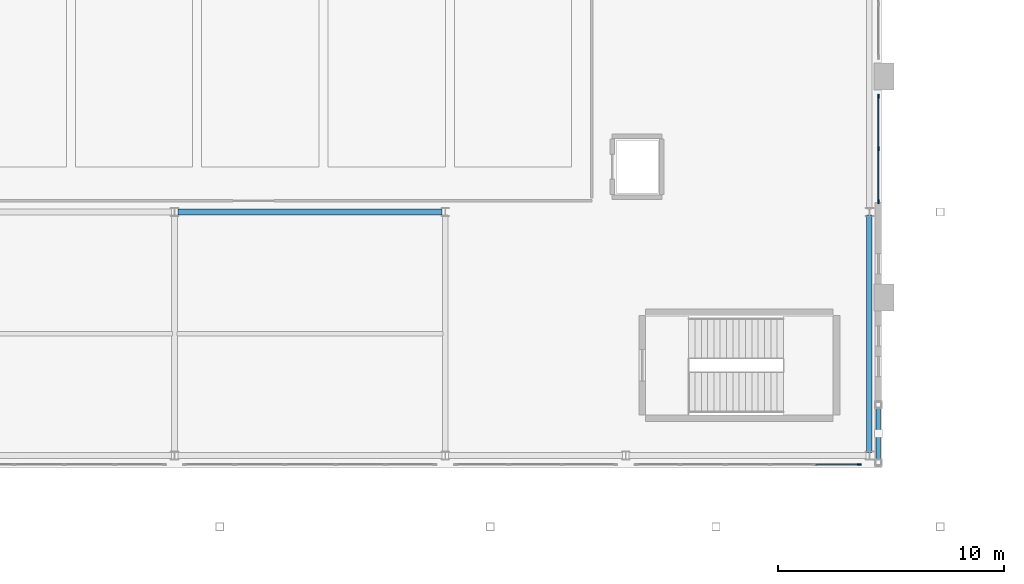
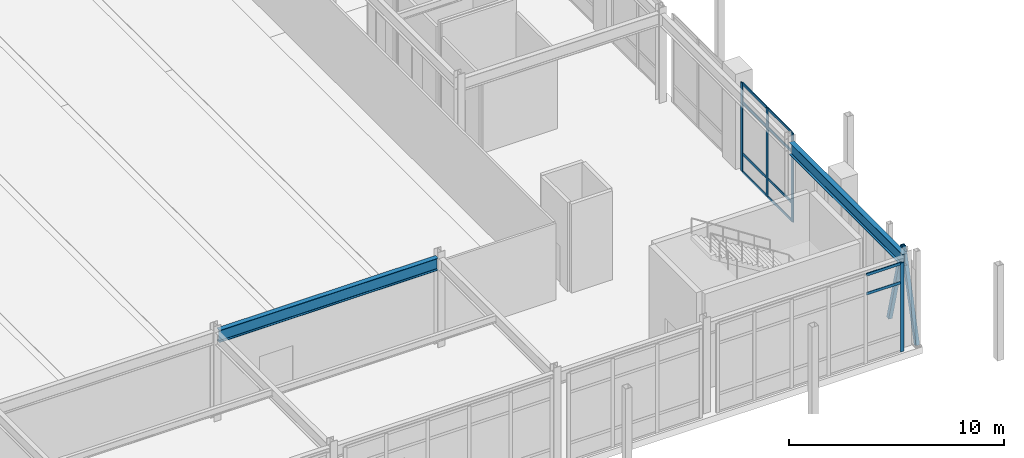
# One storey, part 67 of 159: 16 members, 2 beams, 2 elements without a shape of their own.
"""IFC4 building model written with IfcOpenShell, lengths in metres."""

from ifc_helpers import new_model, si_unit, derived_unit, direction, frame, origin, origin_2d, place, context, subcontext, project, spatial, rectangle, hollow_rectangle, i_section, extrude, material, layer, layer_set, material_profile, profile_set, type_object, element, aggregate, save


model = new_model("IFC4")

# Units and contexts
model_context = context("Model", 3, precision=1e-05, world=origin(), true_north=direction((0.0, 1.0)))
body_context = subcontext(model_context, "Body", "Model", "MODEL_VIEW")
ifc_project = project(units=[si_unit("LENGTHUNIT", "METRE"), si_unit("AREAUNIT", "SQUARE_METRE"), si_unit("VOLUMEUNIT", "CUBIC_METRE"), si_unit("PLANEANGLEUNIT", "RADIAN"), si_unit("MASSUNIT", "GRAM", prefix="KILO"), derived_unit("THERMALTRANSMITTANCEUNIT", [(si_unit("MASSUNIT", "GRAM", prefix="KILO"), 1), (si_unit("TIMEUNIT", "SECOND"), -3), (si_unit("THERMODYNAMICTEMPERATUREUNIT", "KELVIN"), -1)])], contexts=[model_context])

# Site, building, storey
site_placement = place(None, origin())
site = spatial("IfcSite", under=ifc_project, at=site_placement, CompositionType="ELEMENT")
building_placement = place(site_placement, origin())
building = spatial("IfcBuilding", under=site, at=building_placement, Name="Valcora Ridge Arena", CompositionType="ELEMENT")
storey_placement = place(building_placement, frame((0.0, 0.0, 6.0)))
storey = spatial("IfcBuildingStorey", under=building, at=storey_placement, Name="L01", CompositionType="ELEMENT", Elevation=6.0)

# Beams
ifc_material_1 = material(Name="Steel ASTM A572 Grade 50", Category="steel")
ifc_material_profile_1 = material_profile(ifc_material_1, i_section(OverallWidth=0.256103515625, OverallDepth=0.693115234375, WebThickness=0.014404296875, FlangeThickness=0.023681640625, FilletRadius=0.02001953125, at=origin_2d()), Name="W27X114")
ifc_profile_set_1 = profile_set([ifc_material_profile_1], Name="Steel ASTM A572 Grade 50")
beam_type_1 = type_object("IfcBeamType", Name="TY-BEAM-G-W27X114-X", PredefinedType="BEAM", material=ifc_profile_set_1)
beam_1_placement = place(storey_placement, frame((156.139892578125, 16.0, 4.693603515625), z_axis=(1.0, 0.0, 0.0), x_axis=(0.0, 1.0, 0.0)))
element("IfcBeam", 1, at=beam_1_placement, inside=storey, type_object=beam_type_1, Name="G-W27X114-X BEM-G-W27X114-X-0026", PredefinedType="BEAM", context=body_context, shape_type="SweptSolid", body=[
    extrude(i_section(OverallWidth=0.256103515625, OverallDepth=0.693115234375, WebThickness=0.014404296875, FlangeThickness=0.023681640625, FilletRadius=0.02001953125, at=origin_2d()), origin(), (0.0, 0.0, 1.0), 11.72021484375),
])
ifc_material_profile_2 = material_profile(ifc_material_1, i_section(OverallWidth=0.256103515625, OverallDepth=0.693115234375, WebThickness=0.014404296875, FlangeThickness=0.023681640625, FilletRadius=0.02001953125, at=origin_2d()), Name="W27X114")
ifc_profile_set_2 = profile_set([ifc_material_profile_2], Name="Steel ASTM A572 Grade 50")
beam_type_2 = type_object("IfcBeamType", Name="TY-BEAM-G-W27X114-Y", PredefinedType="BEAM", material=ifc_profile_set_2)
beam_2_placement = place(storey_placement, frame((186.800048828125, 5.340087890625, 4.693603515625), z_axis=(0.0, 1.0, 0.0), x_axis=(-1.0, 0.0, 0.0)))
element("IfcBeam", 2, at=beam_2_placement, inside=storey, type_object=beam_type_2, Name="G-W27X114-Y BEM-G-W27X114-Y-0053", PredefinedType="BEAM", context=body_context, shape_type="SweptSolid", body=[
    extrude(i_section(OverallWidth=0.256103515625, OverallDepth=0.693115234375, WebThickness=0.014404296875, FlangeThickness=0.023681640625, FilletRadius=0.02001953125, at=origin_2d()), origin(), (0.0, 0.0, 1.0), 10.52001953125),
])

# Curtain wall, member
ifc_material_2 = material(Name="Anodised dark bronze architectural aluminium 6063-T6", Category="aluminium")
ifc_layer_1 = layer(ifc_material_2, 0.179931640625, Name="Anodised dark bronze architectural aluminium 6063-T6")
ifc_layer_set_1 = layer_set([ifc_layer_1], Name="Anodised dark bronze architectural aluminium 6063-T6")
curtain_wall_type_1 = type_object("IfcCurtainWallType", Name="TY-CURTAINWALL-CW-V2-GLAZ-099X50", PredefinedType="NOTDEFINED", material=ifc_layer_set_1)
curtain_wall_1_placement = place(storey_placement, origin())
curtain_wall_1 = element("IfcCurtainWall", 3, at=curtain_wall_1_placement, inside=storey, type_object=curtain_wall_type_1, Name="CW-V2-GLAZ-099X50 CW-0048", PredefinedType="NOTDEFINED")
ifc_material_profile_3 = material_profile(ifc_material_2, rectangle(XDim=0.06005859375, YDim=0.179931640625, at=origin_2d()), Name="ALU MULLION 60x180")
ifc_profile_set_3 = profile_set([ifc_material_profile_3], Name="Anodised dark bronze architectural aluminium 6063-T6")
member_type_1 = type_object("IfcMemberType", Name="TY-MEM-CWM-60x180", PredefinedType="MULLION", material=ifc_profile_set_3)
member_1_placement = place(storey_placement, frame((186.343017578125, 4.800048828125, 0.0), z_axis=(0.0, 0.0, 1.0), x_axis=(0.0, 1.0, 0.0)))
member_1 = element("IfcMember", 4, at=member_1_placement, type_object=member_type_1, Name="CW-0048/CWM-60x180/M05", PredefinedType="MULLION", context=body_context, shape_type="SweptSolid", body=[
    extrude(rectangle(XDim=0.06005859375, YDim=0.179931640625, at=origin_2d()), origin(), (0.0, 0.0, 1.0), 5.0400390625),
])

# Curtain wall, members
ifc_layer_2 = layer(ifc_material_2, 0.179931640625, Name="Anodised dark bronze architectural aluminium 6063-T6")
ifc_layer_set_2 = layer_set([ifc_layer_2], Name="Anodised dark bronze architectural aluminium 6063-T6")
curtain_wall_type_2 = type_object("IfcCurtainWallType", Name="TY-CURTAINWALL-CW-V2-GLAZ-047X50", PredefinedType="NOTDEFINED", material=ifc_layer_set_2)
curtain_wall_2_placement = place(storey_placement, origin())
curtain_wall_2 = element("IfcCurtainWall", 5, at=curtain_wall_2_placement, inside=storey, type_object=curtain_wall_type_2, Name="CW-V2-GLAZ-047X50 CW-0049", PredefinedType="NOTDEFINED")
member_2_placement = place(storey_placement, frame((187.199951171875, 16.45654296875, 0.0), z_axis=(0.0, 0.0, 1.0), x_axis=(-1.0, 0.0, 0.0)))
member_2 = element("IfcMember", 6, at=member_2_placement, type_object=member_type_1, Name="CW-0049/CWM-60x180/M00", PredefinedType="MULLION", context=body_context, shape_type="SweptSolid", body=[
    extrude(rectangle(XDim=0.06005859375, YDim=0.179931640625, at=origin_2d()), origin(), (0.0, 0.0, 1.0), 5.0400390625),
])
member_3_placement = place(storey_placement, frame((187.199951171875, 18.793212890625, 0.0), z_axis=(0.0, 0.0, 1.0), x_axis=(-1.0, 0.0, 0.0)))
member_3 = element("IfcMember", 7, at=member_3_placement, type_object=member_type_1, Name="CW-0049/CWM-60x180/M01", PredefinedType="MULLION", context=body_context, shape_type="SweptSolid", body=[
    extrude(rectangle(XDim=0.06005859375, YDim=0.179931640625, at=origin_2d()), origin(), (0.0, 0.0, 1.0), 5.0400390625),
])
member_4_placement = place(storey_placement, frame((187.199951171875, 21.1298828125, 0.0), z_axis=(0.0, 0.0, 1.0), x_axis=(-1.0, 0.0, 0.0)))
member_4 = element("IfcMember", 8, at=member_4_placement, type_object=member_type_1, Name="CW-0049/CWM-60x180/M02", PredefinedType="MULLION", context=body_context, shape_type="SweptSolid", body=[
    extrude(rectangle(XDim=0.06005859375, YDim=0.179931640625, at=origin_2d()), origin(), (0.0, 0.0, 1.0), 5.0400390625),
])

# Member
ifc_material_profile_4 = material_profile(ifc_material_2, rectangle(XDim=0.050048828125, YDim=0.14990234375, at=origin_2d()), Name="ALU TRANSOM 50x150")
ifc_profile_set_4 = profile_set([ifc_material_profile_4], Name="Anodised dark bronze architectural aluminium 6063-T6")
member_type_2 = type_object("IfcMemberType", Name="TY-MEM-CWT-50x150", PredefinedType="USERDEFINED", material=ifc_profile_set_4)
member_5_placement = place(storey_placement, frame((184.4140625, 4.800048828125, 3.93994140625), z_axis=(1.0, 0.0, 0.0), x_axis=(0.0, 1.0, 0.0)))
member_5 = element("IfcMember", 9, at=member_5_placement, type_object=member_type_2, Name="CW-0048/CWT-50x150/T04-02", ObjectType="TRANSOM", PredefinedType="USERDEFINED", context=body_context, shape_type="SweptSolid", body=[
    extrude(rectangle(XDim=0.050048828125, YDim=0.14990234375, at=origin_2d()), origin(), (0.0, 0.0, 1.0), 1.89892578125),
])

member_6_placement = place(storey_placement, frame((184.4140625, 4.800048828125, 5.014892578125), z_axis=(1.0, 0.0, 0.0), x_axis=(0.0, 1.0, 0.0)))
member_6 = element("IfcMember", 10, at=member_6_placement, type_object=member_type_2, Name="CW-0048/CWT-50x150/T04-03", ObjectType="TRANSOM", PredefinedType="USERDEFINED", context=body_context, shape_type="SweptSolid", body=[
    extrude(rectangle(XDim=0.050048828125, YDim=0.14990234375, at=origin_2d()), origin(), (0.0, 0.0, 1.0), 1.89892578125),
])

aggregate(curtain_wall_1, [member_1, member_5, member_6])

member_7_placement = place(storey_placement, frame((187.199951171875, 16.486572265625, 0.02490234375), z_axis=(0.0, 1.0, 0.0), x_axis=(-1.0, 0.0, 0.0)))
member_7 = element("IfcMember", 11, at=member_7_placement, type_object=member_type_2, Name="CW-0049/CWT-50x150/T00-00", ObjectType="TRANSOM", PredefinedType="USERDEFINED", context=body_context, shape_type="SweptSolid", body=[
    extrude(rectangle(XDim=0.050048828125, YDim=0.14990234375, at=origin_2d()), origin(), (0.0, 0.0, 1.0), 2.27685546875),
])

member_8_placement = place(storey_placement, frame((187.199951171875, 16.486572265625, 1.050048828125), z_axis=(0.0, 1.0, 0.0), x_axis=(-1.0, 0.0, 0.0)))
member_8 = element("IfcMember", 12, at=member_8_placement, type_object=member_type_2, Name="CW-0049/CWT-50x150/T00-01", ObjectType="TRANSOM", PredefinedType="USERDEFINED", context=body_context, shape_type="SweptSolid", body=[
    extrude(rectangle(XDim=0.050048828125, YDim=0.14990234375, at=origin_2d()), origin(), (0.0, 0.0, 1.0), 2.27685546875),
])

member_9_placement = place(storey_placement, frame((187.199951171875, 16.486572265625, 3.93994140625), z_axis=(0.0, 1.0, 0.0), x_axis=(-1.0, 0.0, 0.0)))
member_9 = element("IfcMember", 13, at=member_9_placement, type_object=member_type_2, Name="CW-0049/CWT-50x150/T00-02", ObjectType="TRANSOM", PredefinedType="USERDEFINED", context=body_context, shape_type="SweptSolid", body=[
    extrude(rectangle(XDim=0.050048828125, YDim=0.14990234375, at=origin_2d()), origin(), (0.0, 0.0, 1.0), 2.27685546875),
])

member_10_placement = place(storey_placement, frame((187.199951171875, 16.486572265625, 5.014892578125), z_axis=(0.0, 1.0, 0.0), x_axis=(-1.0, 0.0, 0.0)))
member_10 = element("IfcMember", 14, at=member_10_placement, type_object=member_type_2, Name="CW-0049/CWT-50x150/T00-03", ObjectType="TRANSOM", PredefinedType="USERDEFINED", context=body_context, shape_type="SweptSolid", body=[
    extrude(rectangle(XDim=0.050048828125, YDim=0.14990234375, at=origin_2d()), origin(), (0.0, 0.0, 1.0), 2.27685546875),
])

member_11_placement = place(storey_placement, frame((187.199951171875, 18.823486328125, 0.02490234375), z_axis=(0.0, 1.0, 0.0), x_axis=(-1.0, 0.0, 0.0)))
member_11 = element("IfcMember", 15, at=member_11_placement, type_object=member_type_2, Name="CW-0049/CWT-50x150/T01-00", ObjectType="TRANSOM", PredefinedType="USERDEFINED", context=body_context, shape_type="SweptSolid", body=[
    extrude(rectangle(XDim=0.050048828125, YDim=0.14990234375, at=origin_2d()), origin(), (0.0, 0.0, 1.0), 2.276123046875),
])

member_12_placement = place(storey_placement, frame((187.199951171875, 18.823486328125, 1.050048828125), z_axis=(0.0, 1.0, 0.0), x_axis=(-1.0, 0.0, 0.0)))
member_12 = element("IfcMember", 16, at=member_12_placement, type_object=member_type_2, Name="CW-0049/CWT-50x150/T01-01", ObjectType="TRANSOM", PredefinedType="USERDEFINED", context=body_context, shape_type="SweptSolid", body=[
    extrude(rectangle(XDim=0.050048828125, YDim=0.14990234375, at=origin_2d()), origin(), (0.0, 0.0, 1.0), 2.276123046875),
])

member_13_placement = place(storey_placement, frame((187.199951171875, 18.823486328125, 3.93994140625), z_axis=(0.0, 1.0, 0.0), x_axis=(-1.0, 0.0, 0.0)))
member_13 = element("IfcMember", 17, at=member_13_placement, type_object=member_type_2, Name="CW-0049/CWT-50x150/T01-02", ObjectType="TRANSOM", PredefinedType="USERDEFINED", context=body_context, shape_type="SweptSolid", body=[
    extrude(rectangle(XDim=0.050048828125, YDim=0.14990234375, at=origin_2d()), origin(), (0.0, 0.0, 1.0), 2.276123046875),
])

member_14_placement = place(storey_placement, frame((187.199951171875, 18.823486328125, 5.014892578125), z_axis=(0.0, 1.0, 0.0), x_axis=(-1.0, 0.0, 0.0)))
member_14 = element("IfcMember", 18, at=member_14_placement, type_object=member_type_2, Name="CW-0049/CWT-50x150/T01-03", ObjectType="TRANSOM", PredefinedType="USERDEFINED", context=body_context, shape_type="SweptSolid", body=[
    extrude(rectangle(XDim=0.050048828125, YDim=0.14990234375, at=origin_2d()), origin(), (0.0, 0.0, 1.0), 2.276123046875),
])

aggregate(curtain_wall_2, [member_2, member_3, member_4, member_7, member_8, member_9, member_10, member_11, member_12, member_13, member_14])

# Members
ifc_material_3 = material(Name="Steel ASTM A500 Grade C", Category="steel")
ifc_material_profile_5 = material_profile(ifc_material_3, hollow_rectangle(XDim=0.199951171875, YDim=0.199951171875, WallThickness=0.012451171875, at=origin_2d()), Name="HSS200X200X12")
ifc_profile_set_5 = profile_set([ifc_material_profile_5], Name="Steel ASTM A500 Grade C")
member_type_3 = type_object("IfcMemberType", Name="TY-MEMBER-CBF-200A", PredefinedType="BRACE", material=ifc_profile_set_5)
member_15_placement = place(storey_placement, frame((187.199951171875, 4.89990234375, 0.02001953125), z_axis=(0.0, 0.253792434928, 0.967258703747), x_axis=(-1.0, 0.0, 0.0)))
element("IfcMember", 19, at=member_15_placement, inside=storey, type_object=member_type_3, Name="CBF-200A Diagonal Brace", PredefinedType="BRACE", context=body_context, shape_type="SweptSolid", body=[
    extrude(hollow_rectangle(XDim=0.199951171875, YDim=0.199951171875, WallThickness=0.012451171875, at=origin_2d()), origin(), (0.0, 0.0, 1.0), 5.0244140625),
])
ifc_material_profile_6 = material_profile(ifc_material_3, hollow_rectangle(XDim=0.199951171875, YDim=0.199951171875, WallThickness=0.012451171875, at=origin_2d()), Name="HSS200X200X12")
ifc_profile_set_6 = profile_set([ifc_material_profile_6], Name="Steel ASTM A500 Grade C")
member_type_4 = type_object("IfcMemberType", Name="TY-MEMBER-CBF-200B", PredefinedType="BRACE", material=ifc_profile_set_6)
member_16_placement = place(storey_placement, frame((187.199951171875, 7.449951171875, 0.02001953125), z_axis=(0.0, -0.253746972568, 0.967270631164), x_axis=(1.0, 0.0, 0.0)))
element("IfcMember", 20, at=member_16_placement, inside=storey, type_object=member_type_4, Name="CBF-200B Diagonal Brace", PredefinedType="BRACE", context=body_context, shape_type="SweptSolid", body=[
    extrude(hollow_rectangle(XDim=0.199951171875, YDim=0.199951171875, WallThickness=0.012451171875, at=origin_2d()), origin(), (0.0, 0.0, 1.0), 5.0244140625),
])

save(model, "model.ifc")
